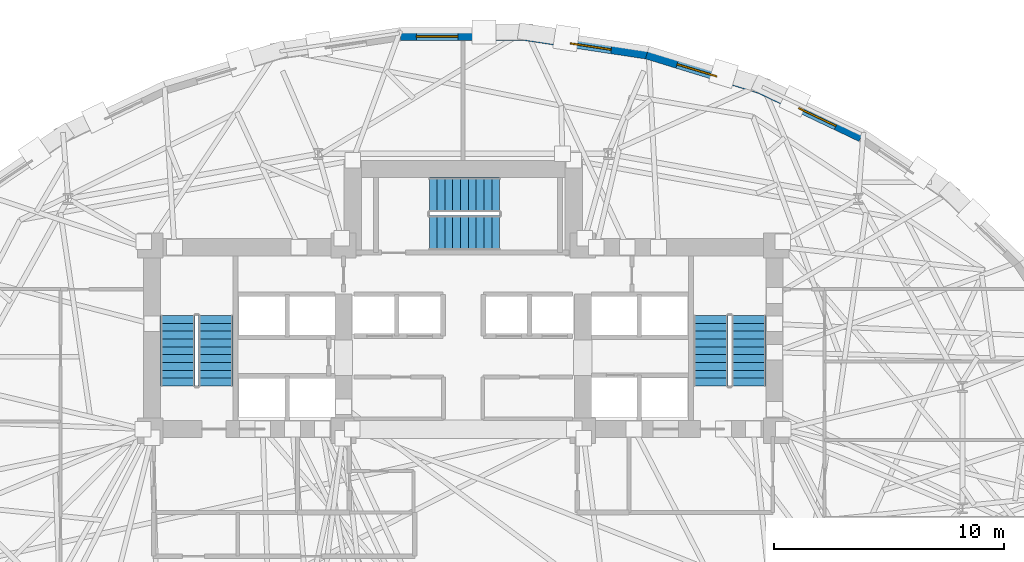
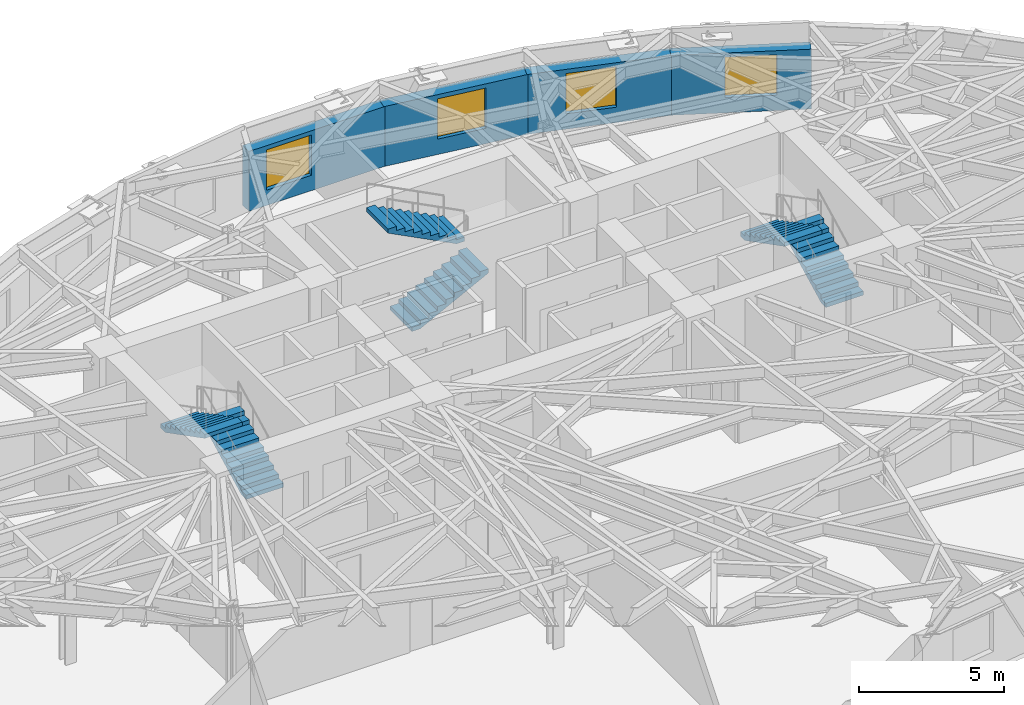
# One storey, part 10 of 14: 6 stair flights, 4 walls, 4 windows, 4 openings, 3 elements without a shape of their own.
"""IFC4 building model written with IfcOpenShell, lengths in metres."""

from ifc_helpers import new_model, si_unit, direction, frame, frame_2d, origin, place, context, subcontext, project, spatial, polyline, rectangle, outline, extrude, material, layer, layer_set, type_object, element, fill, aggregate, save


model = new_model("IFC4")

# Units and contexts
model_context = context("Model", 3, precision=1e-05, world=origin(), true_north=direction((0.0, 1.0)))
body_context = subcontext(model_context, "Body", "Model", "MODEL_VIEW")
ifc_project = project(units=[si_unit("LENGTHUNIT", "METRE"), si_unit("AREAUNIT", "SQUARE_METRE"), si_unit("VOLUMEUNIT", "CUBIC_METRE"), si_unit("PLANEANGLEUNIT", "RADIAN"), si_unit("MASSUNIT", "GRAM", prefix="KILO")], contexts=[model_context])

# Site, building, storey
site_placement = place(None, origin())
site = spatial("IfcSite", under=ifc_project, at=site_placement, CompositionType="ELEMENT")
building_placement = place(site_placement, origin())
building = spatial("IfcBuilding", under=site, at=building_placement, Name="Keldmark Tower", CompositionType="ELEMENT")
storey_placement = place(building_placement, frame((0.0, 0.0, 103.60009765625)))
storey = spatial("IfcBuildingStorey", under=building, at=storey_placement, Name="L27", CompositionType="ELEMENT", Elevation=103.60009765625)

# Wall, opening, window
ifc_material_1 = material(Name="Ironspot Manganese Brick and Kasota Buff Limestone Spandrel Assembly", Category="masonry")
ifc_layer = layer(ifc_material_1, 0.43994140625)
ifc_layer_set = layer_set([ifc_layer], Name="Ironspot Manganese Brick and Kasota Buff Limestone Spandrel Assembly")
wall_type = type_object("IfcWallType", Name="Tower Brick Pier and Spandrel Wall 440 mm", PredefinedType="STANDARD", material=ifc_layer_set)
wall_1_placement = place(storey_placement, frame((12.889892578125, 16.26953125, 0.0), z_axis=(0.0, 0.0, 1.0), x_axis=(0.902372757907, -0.430956385018, 0.0)))
wall_1 = element("IfcWall", 1, at=wall_1_placement, inside=storey, type_object=wall_type, Name="L27 Exterior Brick and Spandrel Wall 05", PredefinedType="STANDARD", context=body_context, shape_type="SweptSolid", body=[
    extrude(rectangle(XDim=4.881591796875, YDim=0.43994140625, at=frame_2d((2.44091796875, 0.0))), origin(), (0.0, 0.0, 1.0), 2.52783203125),
])
opening_1_placement = place(wall_1_placement, frame((1.888427734375, 0.0, 0.64990234375)))
opening_1 = element("IfcOpeningElement", 2, at=opening_1_placement, cuts=wall_1, Name="Opening W-02", PredefinedType="OPENING", context=body_context, shape_type="SweptSolid", body=[
    extrude(rectangle(XDim=1.800048828125, YDim=1.699951171875, at=frame_2d((0.89990234375, 0.85009765625))), frame((0.0, 0.22998046875, 0.0), z_axis=(0.0, -1.0, 0.0), x_axis=(1.0, 0.0, 0.0)), (0.0, 0.0, 1.0), 0.4599609375),
])
ifc_material_2 = material(Name="Thermally Broken Anodized Aluminum and Triple Low-E Argon Glazing", Category="aluminium")
window_type = type_object("IfcWindowType", Name="Office Deep-Set Triple Window 1800x1700", PartitioningType="TRIPLE_PANEL_VERTICAL", PredefinedType="WINDOW", material=ifc_material_2)
window_1_placement = place(opening_1_placement, origin())
window_1 = element("IfcWindow", 3, at=window_1_placement, inside=storey, type_object=window_type, Name="L27 Deep-Set Window 05", OverallHeight=1.699951171875, OverallWidth=1.800048828125, PartitioningType="SINGLE_PANEL", PredefinedType="WINDOW", context=body_context, shape_type="SweptSolid", body=[
    extrude(rectangle(XDim=1.800048828125, YDim=1.699951171875, at=frame_2d((0.89990234375, 0.85009765625))), frame((0.0, -0.010009765625, 0.0), z_axis=(0.0, -1.0, 0.0), x_axis=(1.0, 0.0, 0.0)), (0.0, 0.0, 1.0), 0.06005859375),
])
fill(opening_1, window_1)

wall_2_placement = place(storey_placement, frame((7.981201171875, 17.769287109375, 0.0), z_axis=(0.0, 0.0, 1.0), x_axis=(0.956228569431, -0.292620783617, 0.0)))
wall_2 = element("IfcWall", 4, at=wall_2_placement, inside=storey, type_object=wall_type, Name="L27 Exterior Brick and Spandrel Wall 06", PredefinedType="STANDARD", context=body_context, shape_type="SweptSolid", body=[
    extrude(rectangle(XDim=5.165283203125, YDim=0.43994140625, at=frame_2d((2.58251953125, 0.0))), origin(), (0.0, 0.0, 1.0), 2.52783203125),
])
opening_2_placement = place(wall_2_placement, frame((1.385986328125, 0.0, 0.64990234375)))
opening_2 = element("IfcOpeningElement", 5, at=opening_2_placement, cuts=wall_2, Name="Opening W-02", PredefinedType="OPENING", context=body_context, shape_type="SweptSolid", body=[
    extrude(rectangle(XDim=1.800048828125, YDim=1.699951171875, at=frame_2d((0.89990234375, 0.85009765625))), frame((0.0, 0.22998046875, 0.0), z_axis=(0.0, -1.0, 0.0), x_axis=(1.0, 0.0, 0.0)), (0.0, 0.0, 1.0), 0.4599609375),
])
window_2_placement = place(opening_2_placement, origin())
window_2 = element("IfcWindow", 6, at=window_2_placement, inside=storey, type_object=window_type, Name="L27 Deep-Set Window 06", OverallHeight=1.699951171875, OverallWidth=1.800048828125, PartitioningType="SINGLE_PANEL", PredefinedType="WINDOW", context=body_context, shape_type="SweptSolid", body=[
    extrude(rectangle(XDim=1.800048828125, YDim=1.699951171875, at=frame_2d((0.89990234375, 0.85009765625))), frame((0.0, -0.010009765625, 0.0), z_axis=(0.0, -1.0, 0.0), x_axis=(1.0, 0.0, 0.0)), (0.0, 0.0, 1.0), 0.06005859375),
])
fill(opening_2, window_2)

wall_3_placement = place(storey_placement, frame((2.69677734375, 18.57080078125, 0.0), z_axis=(0.0, 0.0, 1.0), x_axis=(0.988627497469, -0.150385076545, 0.0)))
wall_3 = element("IfcWall", 7, at=wall_3_placement, inside=storey, type_object=wall_type, Name="L27 Exterior Brick and Spandrel Wall 07", PredefinedType="STANDARD", context=body_context, shape_type="SweptSolid", body=[
    extrude(rectangle(XDim=5.376708984375, YDim=0.43994140625, at=frame_2d((2.6884765625, 0.0))), origin(), (0.0, 0.0, 1.0), 2.52783203125),
])
opening_3_placement = place(wall_3_placement, frame((1.987060546875, 0.0, 0.64990234375)))
opening_3 = element("IfcOpeningElement", 8, at=opening_3_placement, cuts=wall_3, Name="Opening W-02", PredefinedType="OPENING", context=body_context, shape_type="SweptSolid", body=[
    extrude(rectangle(XDim=1.800048828125, YDim=1.699951171875, at=frame_2d((0.89990234375, 0.85009765625))), frame((0.0, 0.22998046875, 0.0), z_axis=(0.0, -1.0, 0.0), x_axis=(1.0, 0.0, 0.0)), (0.0, 0.0, 1.0), 0.4599609375),
])
window_3_placement = place(opening_3_placement, origin())
window_3 = element("IfcWindow", 9, at=window_3_placement, inside=storey, type_object=window_type, Name="L27 Deep-Set Window 07", OverallHeight=1.699951171875, OverallWidth=1.800048828125, PartitioningType="SINGLE_PANEL", PredefinedType="WINDOW", context=body_context, shape_type="SweptSolid", body=[
    extrude(rectangle(XDim=1.800048828125, YDim=1.699951171875, at=frame_2d((0.89990234375, 0.85009765625))), frame((0.0, -0.010009765625, 0.0), z_axis=(0.0, -1.0, 0.0), x_axis=(1.0, 0.0, 0.0)), (0.0, 0.0, 1.0), 0.06005859375),
])
fill(opening_3, window_3)

wall_4_placement = place(storey_placement, frame((-2.729736328125, 18.568359375, 0.0), z_axis=(0.0, 0.0, 1.0), x_axis=(1.0, 0.0, 0.0)))
wall_4 = element("IfcWall", 10, at=wall_4_placement, inside=storey, type_object=wall_type, Name="L27 Exterior Brick and Spandrel Wall 08", PredefinedType="STANDARD", context=body_context, shape_type="SweptSolid", body=[
    extrude(rectangle(XDim=5.45947265625, YDim=0.43994140625, at=frame_2d((2.729736328125, 0.0))), origin(), (0.0, 0.0, 1.0), 2.52783203125),
])
opening_4_placement = place(wall_4_placement, frame((0.69384765625, 0.0, 0.64990234375)))
opening_4 = element("IfcOpeningElement", 11, at=opening_4_placement, cuts=wall_4, Name="Opening W-02", PredefinedType="OPENING", context=body_context, shape_type="SweptSolid", body=[
    extrude(rectangle(XDim=1.800048828125, YDim=1.699951171875, at=frame_2d((0.89990234375, 0.85009765625))), frame((0.0, 0.22998046875, 0.0), z_axis=(0.0, -1.0, 0.0), x_axis=(1.0, 0.0, 0.0)), (0.0, 0.0, 1.0), 0.4599609375),
])
window_4_placement = place(opening_4_placement, origin())
window_4 = element("IfcWindow", 12, at=window_4_placement, inside=storey, type_object=window_type, Name="L27 Deep-Set Window 08", OverallHeight=1.699951171875, OverallWidth=1.800048828125, PartitioningType="SINGLE_PANEL", PredefinedType="WINDOW", context=body_context, shape_type="SweptSolid", body=[
    extrude(rectangle(XDim=1.800048828125, YDim=1.699951171875, at=frame_2d((0.89990234375, 0.85009765625))), frame((0.0, -0.010009765625, 0.0), z_axis=(0.0, -1.0, 0.0), x_axis=(1.0, 0.0, 0.0)), (0.0, 0.0, 1.0), 0.06005859375),
])
fill(opening_4, window_4)

# Stair, stair flights
ifc_material_3 = material(Name="Concrete C40/50", Category="concrete")
stair_type = type_object("IfcStairType", Name="Precast Concrete Core Exit Stair", PredefinedType="HALF_TURN_STAIR", material=ifc_material_3)
stair_1_placement = place(storey_placement, origin())
stair_1 = element("IfcStair", 13, at=stair_1_placement, inside=storey, type_object=stair_type, Name="L27 Exit Stair ST1", PredefinedType="HALF_TURN_STAIR")
ifc_material_4 = material(Name="Concrete C40/50", Category="concrete")
stair_flight_type = type_object("IfcStairFlightType", Name="Precast Concrete Stair Flight 1500 mm", PredefinedType="STRAIGHT", material=ifc_material_4)
stair_flight_1_placement = place(storey_placement, frame((-10.75, 3.35009765625, 0.0), z_axis=(0.0, 0.0, 1.0), x_axis=(0.0, 1.0, 0.0)))
stair_flight_1 = element("IfcStairFlight", 14, at=stair_flight_1_placement, type_object=stair_flight_type, Name="ST1 flight 1", NumberOfRisers=10, NumberOfTreads=9, PredefinedType="STRAIGHT", RiserHeight=0.175, TreadLength=0.34, context=body_context, shape_type="SweptSolid", body=[
    extrude(outline(polyline([(0.0, 0.0), (0.0, 0.175048828125), (0.340087890625, 0.175048828125), (0.340087890625, 0.35009765625), (0.679931640625, 0.35009765625), (0.679931640625, 0.52490234375), (1.02001953125, 0.52490234375), (1.02001953125, 0.699951171875), (1.360107421875, 0.699951171875), (1.360107421875, 0.875), (1.699951171875, 0.875), (1.699951171875, 1.050048828125), (2.0400390625, 1.050048828125), (2.0400390625, 1.22509765625), (2.3798828125, 1.22509765625), (2.3798828125, 1.39990234375), (2.719970703125, 1.39990234375), (2.719970703125, 1.574951171875), (3.06005859375, 1.574951171875), (3.06005859375, 1.75), (3.06005859375, 1.406494140625), (0.32763671875, 0.0), (0.0, 0.0)])), frame((0.0, 0.75, 0.0), z_axis=(0.0, -1.0, 0.0), x_axis=(1.0, 0.0, 0.0)), (0.0, 0.0, 1.0), 1.5),
])
stair_flight_2_placement = place(storey_placement, frame((-12.39990234375, 6.409912109375, 1.75), z_axis=(0.0, 0.0, 1.0), x_axis=(0.0, -1.0, 0.0)))
stair_flight_2 = element("IfcStairFlight", 15, at=stair_flight_2_placement, type_object=stair_flight_type, Name="ST1 flight 2", NumberOfRisers=10, NumberOfTreads=9, PredefinedType="STRAIGHT", RiserHeight=0.175, TreadLength=0.34, context=body_context, shape_type="SweptSolid", body=[
    extrude(outline(polyline([(0.0, 0.0), (0.0, 0.175048828125), (0.340087890625, 0.175048828125), (0.340087890625, 0.35009765625), (0.679931640625, 0.35009765625), (0.679931640625, 0.52490234375), (1.02001953125, 0.52490234375), (1.02001953125, 0.699951171875), (1.360107421875, 0.699951171875), (1.360107421875, 0.875), (1.699951171875, 0.875), (1.699951171875, 1.050048828125), (2.0400390625, 1.050048828125), (2.0400390625, 1.22509765625), (2.3798828125, 1.22509765625), (2.3798828125, 1.39990234375), (2.719970703125, 1.39990234375), (2.719970703125, 1.574951171875), (3.06005859375, 1.574951171875), (3.06005859375, 1.75), (3.06005859375, 1.406494140625), (0.32763671875, 0.0), (0.0, 0.0)])), frame((0.0, 0.75, 0.0), z_axis=(0.0, -1.0, 0.0), x_axis=(1.0, 0.0, 0.0)), (0.0, 0.0, 1.0), 1.5),
])
aggregate(stair_1, [stair_flight_1, stair_flight_2])

stair_2_placement = place(storey_placement, origin())
stair_2 = element("IfcStair", 16, at=stair_2_placement, inside=storey, type_object=stair_type, Name="L27 Exit Stair ST2", PredefinedType="HALF_TURN_STAIR")
stair_flight_3_placement = place(storey_placement, frame((12.39990234375, 3.35009765625, 0.0), z_axis=(0.0, 0.0, 1.0), x_axis=(0.0, 1.0, 0.0)))
stair_flight_3 = element("IfcStairFlight", 17, at=stair_flight_3_placement, type_object=stair_flight_type, Name="ST2 flight 1", NumberOfRisers=10, NumberOfTreads=9, PredefinedType="STRAIGHT", RiserHeight=0.175, TreadLength=0.34, context=body_context, shape_type="SweptSolid", body=[
    extrude(outline(polyline([(0.0, 0.0), (0.0, 0.175048828125), (0.340087890625, 0.175048828125), (0.340087890625, 0.35009765625), (0.679931640625, 0.35009765625), (0.679931640625, 0.52490234375), (1.02001953125, 0.52490234375), (1.02001953125, 0.699951171875), (1.360107421875, 0.699951171875), (1.360107421875, 0.875), (1.699951171875, 0.875), (1.699951171875, 1.050048828125), (2.0400390625, 1.050048828125), (2.0400390625, 1.22509765625), (2.3798828125, 1.22509765625), (2.3798828125, 1.39990234375), (2.719970703125, 1.39990234375), (2.719970703125, 1.574951171875), (3.06005859375, 1.574951171875), (3.06005859375, 1.75), (3.06005859375, 1.406494140625), (0.32763671875, 0.0), (0.0, 0.0)])), frame((0.0, 0.75, 0.0), z_axis=(0.0, -1.0, 0.0), x_axis=(1.0, 0.0, 0.0)), (0.0, 0.0, 1.0), 1.5),
])
stair_flight_4_placement = place(storey_placement, frame((10.75, 6.409912109375, 1.75), z_axis=(0.0, 0.0, 1.0), x_axis=(0.0, -1.0, 0.0)))
stair_flight_4 = element("IfcStairFlight", 18, at=stair_flight_4_placement, type_object=stair_flight_type, Name="ST2 flight 2", NumberOfRisers=10, NumberOfTreads=9, PredefinedType="STRAIGHT", RiserHeight=0.175, TreadLength=0.34, context=body_context, shape_type="SweptSolid", body=[
    extrude(outline(polyline([(0.0, 0.0), (0.0, 0.175048828125), (0.340087890625, 0.175048828125), (0.340087890625, 0.35009765625), (0.679931640625, 0.35009765625), (0.679931640625, 0.52490234375), (1.02001953125, 0.52490234375), (1.02001953125, 0.699951171875), (1.360107421875, 0.699951171875), (1.360107421875, 0.875), (1.699951171875, 0.875), (1.699951171875, 1.050048828125), (2.0400390625, 1.050048828125), (2.0400390625, 1.22509765625), (2.3798828125, 1.22509765625), (2.3798828125, 1.39990234375), (2.719970703125, 1.39990234375), (2.719970703125, 1.574951171875), (3.06005859375, 1.574951171875), (3.06005859375, 1.75), (3.06005859375, 1.406494140625), (0.32763671875, 0.0), (0.0, 0.0)])), frame((0.0, 0.75, 0.0), z_axis=(0.0, -1.0, 0.0), x_axis=(1.0, 0.0, 0.0)), (0.0, 0.0, 1.0), 1.5),
])
aggregate(stair_2, [stair_flight_3, stair_flight_4])

stair_3_placement = place(storey_placement, origin())
stair_3 = element("IfcStair", 19, at=stair_3_placement, inside=storey, type_object=stair_type, Name="L27 Exit Stair ST3", PredefinedType="HALF_TURN_STAIR")
stair_flight_5_placement = place(storey_placement, frame((-1.47509765625, 10.0, 0.0), z_axis=(0.0, 0.0, 1.0), x_axis=(1.0, 0.0, 0.0)))
stair_flight_5 = element("IfcStairFlight", 20, at=stair_flight_5_placement, type_object=stair_flight_type, Name="ST3 flight 1", NumberOfRisers=10, NumberOfTreads=9, PredefinedType="STRAIGHT", RiserHeight=0.175, TreadLength=0.34, context=body_context, shape_type="SweptSolid", body=[
    extrude(outline(polyline([(0.0, 0.0), (0.0, 0.175048828125), (0.340087890625, 0.175048828125), (0.340087890625, 0.35009765625), (0.679931640625, 0.35009765625), (0.679931640625, 0.52490234375), (1.02001953125, 0.52490234375), (1.02001953125, 0.699951171875), (1.360107421875, 0.699951171875), (1.360107421875, 0.875), (1.699951171875, 0.875), (1.699951171875, 1.050048828125), (2.0400390625, 1.050048828125), (2.0400390625, 1.22509765625), (2.3798828125, 1.22509765625), (2.3798828125, 1.39990234375), (2.719970703125, 1.39990234375), (2.719970703125, 1.574951171875), (3.06005859375, 1.574951171875), (3.06005859375, 1.75), (3.06005859375, 1.406494140625), (0.32763671875, 0.0), (0.0, 0.0)])), frame((0.0, 0.75, 0.0), z_axis=(0.0, -1.0, 0.0), x_axis=(1.0, 0.0, 0.0)), (0.0, 0.0, 1.0), 1.5),
])
stair_flight_6_placement = place(storey_placement, frame((1.5849609375, 11.64990234375, 1.75), z_axis=(0.0, 0.0, 1.0), x_axis=(-1.0, 0.0, 0.0)))
stair_flight_6 = element("IfcStairFlight", 21, at=stair_flight_6_placement, type_object=stair_flight_type, Name="ST3 flight 2", NumberOfRisers=10, NumberOfTreads=9, PredefinedType="STRAIGHT", RiserHeight=0.175, TreadLength=0.34, context=body_context, shape_type="SweptSolid", body=[
    extrude(outline(polyline([(0.0, 0.0), (0.0, 0.175048828125), (0.340087890625, 0.175048828125), (0.340087890625, 0.35009765625), (0.679931640625, 0.35009765625), (0.679931640625, 0.52490234375), (1.02001953125, 0.52490234375), (1.02001953125, 0.699951171875), (1.360107421875, 0.699951171875), (1.360107421875, 0.875), (1.699951171875, 0.875), (1.699951171875, 1.050048828125), (2.0400390625, 1.050048828125), (2.0400390625, 1.22509765625), (2.3798828125, 1.22509765625), (2.3798828125, 1.39990234375), (2.719970703125, 1.39990234375), (2.719970703125, 1.574951171875), (3.06005859375, 1.574951171875), (3.06005859375, 1.75), (3.06005859375, 1.406494140625), (0.32763671875, 0.0), (0.0, 0.0)])), frame((0.0, 0.75, 0.0), z_axis=(0.0, -1.0, 0.0), x_axis=(1.0, 0.0, 0.0)), (0.0, 0.0, 1.0), 1.5),
])
aggregate(stair_3, [stair_flight_5, stair_flight_6])

save(model, "model.ifc")
